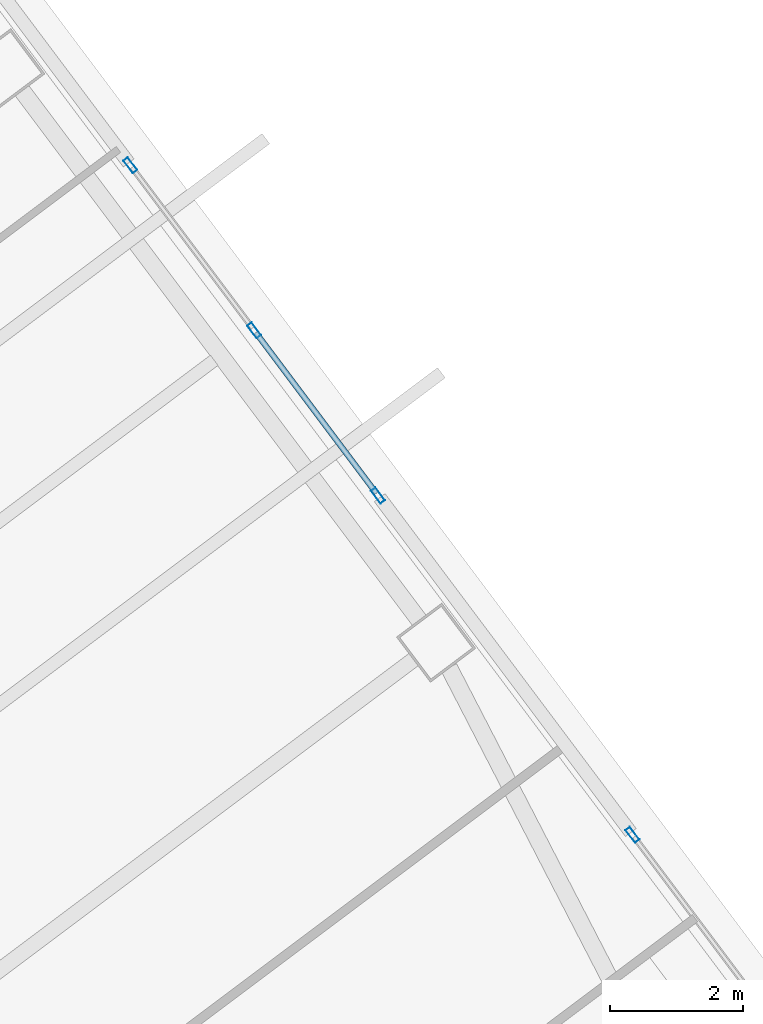
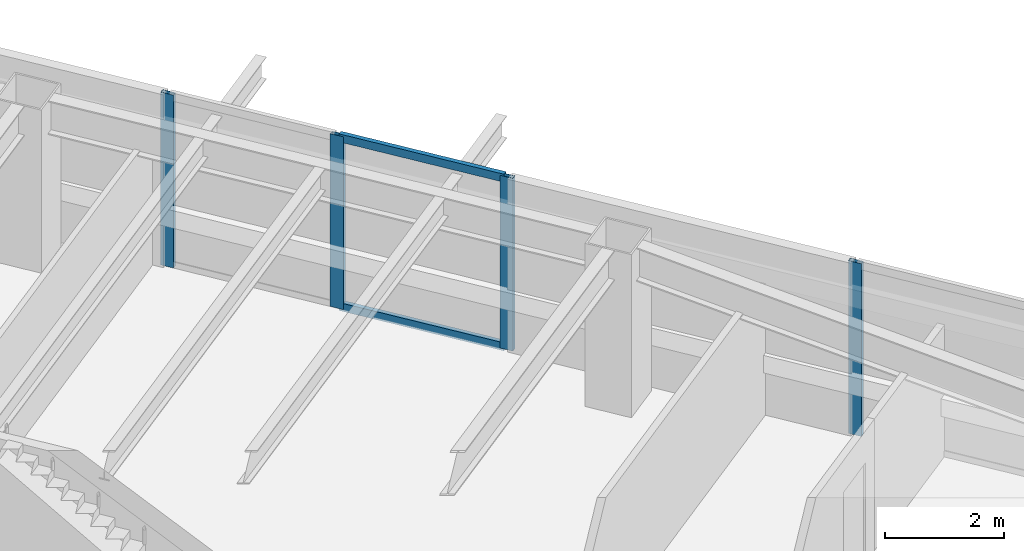
# One storey, part 30 of 46: 6 members, 2 elements without a shape of their own.
"""IFC4 building model written with IfcOpenShell, lengths in metres."""

from ifc_helpers import new_model, si_unit, direction, frame, origin, origin_2d, place, context, subcontext, project, spatial, hollow_rectangle, extrude, material, material_profile, profile_set, type_object, element, aggregate, save


model = new_model("IFC4")

# Units and contexts
model_context = context("Model", 3, precision=1e-05, world=origin(), true_north=direction((0.0, 1.0)))
body_context = subcontext(model_context, "Body", "Model", "MODEL_VIEW")
ifc_project = project(units=[si_unit("LENGTHUNIT", "METRE"), si_unit("AREAUNIT", "SQUARE_METRE"), si_unit("VOLUMEUNIT", "CUBIC_METRE"), si_unit("PLANEANGLEUNIT", "RADIAN"), si_unit("MASSUNIT", "GRAM", prefix="KILO")], contexts=[model_context])

# Site, building, storey
site_placement = place(None, origin())
site = spatial("IfcSite", under=ifc_project, at=site_placement, CompositionType="ELEMENT")
building_placement = place(site_placement, origin())
building = spatial("IfcBuilding", under=site, at=building_placement, Name="Tashvorn Skyway Center", CompositionType="ELEMENT")
storey_placement = place(building_placement, frame((0.0, 0.0, 38.800048828125)))
storey = spatial("IfcBuildingStorey", under=building, at=storey_placement, Name="L09", CompositionType="ELEMENT", Elevation=38.800048828125)

# Curtain wall, members
ifc_material = material(Name="Thermally broken bronze-anodized aluminium 6063-T6", Category="aluminium")
curtain_wall_type = type_object("IfcCurtainWallType", Name="CW-CW-Z1", PredefinedType="NOTDEFINED", material=ifc_material)
curtain_wall_1_placement = place(storey_placement, origin())
curtain_wall_1 = element("IfcCurtainWall", 1, at=curtain_wall_1_placement, inside=storey, type_object=curtain_wall_type, Name="Tower 2 L09 East Unitised Curtain Wall Glazing Group 2", PredefinedType="NOTDEFINED")
ifc_material_profile_1 = material_profile(ifc_material, hollow_rectangle(XDim=0.0849609375, YDim=0.239990234375, WallThickness=0.0048828125, at=origin_2d()), Name="ALU-MULL-85x240")
ifc_profile_set_1 = profile_set([ifc_material_profile_1], Name="Thermally broken bronze-anodized aluminium 6063-T6")
member_type_1 = type_object("IfcMemberType", Name="CWM-CW-Z1", PredefinedType="MULLION", material=ifc_profile_set_1)
member_1_placement = place(storey_placement, frame((129.4814453125, 47.4912109375, 0.0), z_axis=(0.0, 0.0, 1.0), x_axis=(0.799996186392, 0.600005084776, 0.0)))
member_1 = element("IfcMember", 2, at=member_1_placement, type_object=member_type_1, Name="CW-Z1 mullion 1", PredefinedType="MULLION", context=body_context, shape_type="SweptSolid", body=[
    extrude(hollow_rectangle(XDim=0.0849609375, YDim=0.239990234375, WallThickness=0.0048828125, at=origin_2d()), origin(), (0.0, 0.0, 1.0), 3.550048828125),
])
member_2_placement = place(storey_placement, frame((131.343994140625, 45.008056640625, 0.0), z_axis=(0.0, 0.0, 1.0), x_axis=(0.799996186392, 0.600005084776, 0.0)))
member_2 = element("IfcMember", 3, at=member_2_placement, type_object=member_type_1, Name="CW-Z1 mullion 2", PredefinedType="MULLION", context=body_context, shape_type="SweptSolid", body=[
    extrude(hollow_rectangle(XDim=0.0849609375, YDim=0.239990234375, WallThickness=0.0048828125, at=origin_2d()), origin(), (0.0, 0.0, 1.0), 3.550048828125),
])
member_3_placement = place(storey_placement, frame((133.20654296875, 42.524658203125, 0.0), z_axis=(0.0, 0.0, 1.0), x_axis=(0.799996186392, 0.600005084776, 0.0)))
member_3 = element("IfcMember", 4, at=member_3_placement, type_object=member_type_1, Name="CW-Z1 mullion 3", PredefinedType="MULLION", context=body_context, shape_type="SweptSolid", body=[
    extrude(hollow_rectangle(XDim=0.0849609375, YDim=0.239990234375, WallThickness=0.0048828125, at=origin_2d()), origin(), (0.0, 0.0, 1.0), 3.550048828125),
])

# Curtain wall, member
curtain_wall_2_placement = place(storey_placement, origin())
curtain_wall_2 = element("IfcCurtainWall", 5, at=curtain_wall_2_placement, inside=storey, type_object=curtain_wall_type, Name="Tower 2 L09 East Unitised Curtain Wall Glazing Group 3", PredefinedType="NOTDEFINED")
member_4_placement = place(storey_placement, frame((137.033447265625, 37.422119140625, 0.0), z_axis=(0.0, 0.0, 1.0), x_axis=(0.799999999998, 0.600000000002, 0.0)))
member_4 = element("IfcMember", 6, at=member_4_placement, type_object=member_type_1, Name="CW-Z1 mullion 1", PredefinedType="MULLION", context=body_context, shape_type="SweptSolid", body=[
    extrude(hollow_rectangle(XDim=0.0849609375, YDim=0.239990234375, WallThickness=0.0048828125, at=origin_2d()), origin(), (0.0, 0.0, 1.0), 3.550048828125),
])
aggregate(curtain_wall_2, [member_4])

# Member
ifc_material_profile_2 = material_profile(ifc_material, hollow_rectangle(XDim=0.0849609375, YDim=0.1650390625, WallThickness=0.0048828125, at=origin_2d()), Name="ALU-TRAN-85x165")
ifc_profile_set_2 = profile_set([ifc_material_profile_2], Name="Thermally broken bronze-anodized aluminium 6063-T6")
member_type_2 = type_object("IfcMemberType", Name="CWT-CW-Z1", PredefinedType="USERDEFINED", material=ifc_profile_set_2)
member_5_placement = place(storey_placement, frame((131.369384765625, 44.97412109375, 0.04248046875), z_axis=(0.599974124791, -0.800019405753, 0.0), x_axis=(0.800019405753, 0.599974124791, 0.0)))
member_5 = element("IfcMember", 7, at=member_5_placement, type_object=member_type_2, Name="CW-Z1 transom 2.1", ObjectType="TRANSOM", PredefinedType="USERDEFINED", context=body_context, shape_type="SweptSolid", body=[
    extrude(hollow_rectangle(XDim=0.0849609375, YDim=0.1650390625, WallThickness=0.0048828125, at=origin_2d()), origin(), (0.0, 0.0, 1.0), 3.019287109375),
])

member_6_placement = place(storey_placement, frame((131.369384765625, 44.97412109375, 3.507568359375), z_axis=(0.599974124791, -0.800019405753, 0.0), x_axis=(0.800019405753, 0.599974124791, 0.0)))
member_6 = element("IfcMember", 8, at=member_6_placement, type_object=member_type_2, Name="CW-Z1 transom 2.2", ObjectType="TRANSOM", PredefinedType="USERDEFINED", context=body_context, shape_type="SweptSolid", body=[
    extrude(hollow_rectangle(XDim=0.0849609375, YDim=0.1650390625, WallThickness=0.0048828125, at=origin_2d()), origin(), (0.0, 0.0, 1.0), 3.019287109375),
])

aggregate(curtain_wall_1, [member_1, member_2, member_3, member_5, member_6])

save(model, "model.ifc")
